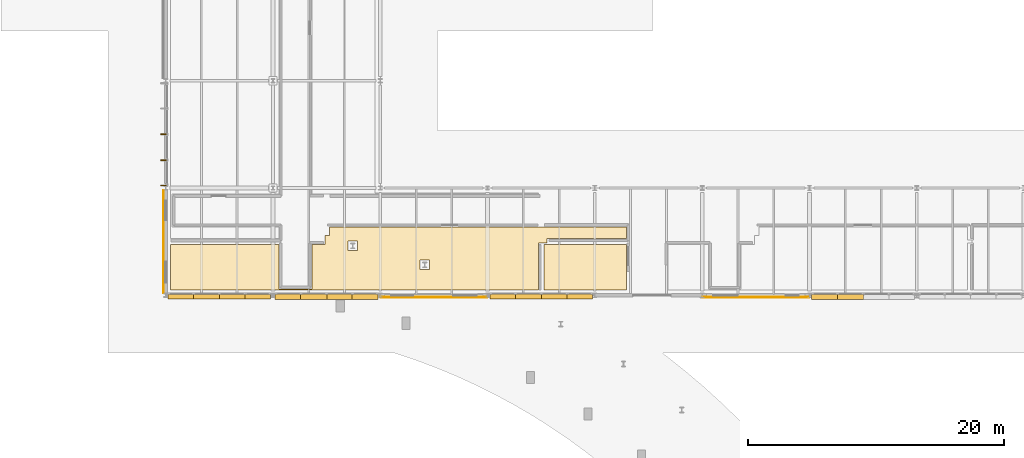
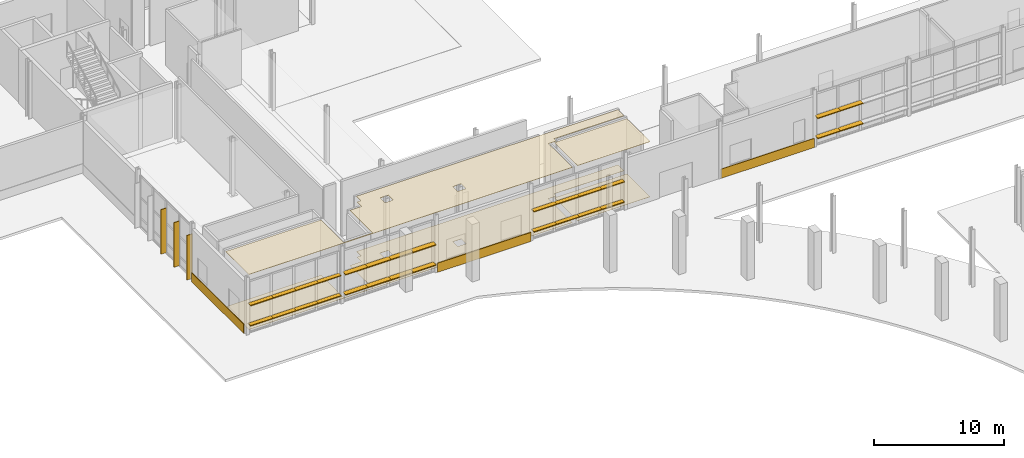
# One storey, part 98 of 124: 31 shading devices, 7 coverings.
"""IFC4 building model written with IfcOpenShell, lengths in metres."""

from ifc_helpers import new_model, si_unit, direction, frame, origin, origin_2d, place, context, subcontext, project, spatial, polyline, rectangle, outline, extrude, material, layer, layer_set, type_object, element, save


model = new_model("IFC4")

# Units and contexts
model_context = context("Model", 3, precision=1e-05, world=origin(), true_north=direction((0.0, 1.0)))
body_context = subcontext(model_context, "Body", "Model", "MODEL_VIEW")
ifc_project = project(units=[si_unit("LENGTHUNIT", "METRE"), si_unit("AREAUNIT", "SQUARE_METRE"), si_unit("VOLUMEUNIT", "CUBIC_METRE"), si_unit("PLANEANGLEUNIT", "RADIAN"), si_unit("MASSUNIT", "GRAM", prefix="KILO")], contexts=[model_context])

# Site, building, storey
site_placement = place(None, origin())
site = spatial("IfcSite", under=ifc_project, at=site_placement, CompositionType="ELEMENT")
building_placement = place(site_placement, origin())
building = spatial("IfcBuilding", under=site, at=building_placement, Name="Mersafa Astral City Hall", CompositionType="ELEMENT")
storey_placement = place(building_placement, origin())
storey = spatial("IfcBuildingStorey", under=building, at=storey_placement, Name="L00", CompositionType="ELEMENT", Elevation=0.0)

# Coverings
ifc_material_1 = material(Name="Cairo Mokattam buff limestone cladding", Category="masonry")
ifc_layer_1 = layer(ifc_material_1, 0.06005859375, Name="Cairo Mokattam buff limestone cladding")
ifc_layer_set_1 = layer_set([ifc_layer_1], Name="Cairo Mokattam buff limestone cladding — ENV-COV-LIMESTONE-60")
covering_type_1 = type_object("IfcCoveringType", Name="ENV-COV-LIMESTONE-60", PredefinedType="CLADDING", material=ifc_layer_set_1)
covering_1_placement = place(storey_placement, frame((8.23046875, 54.60009765625, 0.0), z_axis=(0.0, 0.0, 1.0), x_axis=(0.0, -1.0, 0.0)))
element("IfcCovering", 1, at=covering_1_placement, inside=storey, type_object=covering_type_1, Name="L00 Cairo buff limestone rainscreen cladding 50", PredefinedType="CLADDING", context=body_context, shape_type="SweptSolid", body=[
    extrude(rectangle(XDim=8.048095703125, YDim=0.06005859375, at=origin_2d()), origin(), (0.0, 0.0, 1.0), 0.860107421875),
])
for number, where, z_axis, x_axis, name in (
    (2, (29.39990234375, 50.238037109375, 0.0), (0.0, 0.0, 1.0), (1.0, 0.0, 0.0), "L00 Cairo buff limestone rainscreen cladding 51"),
    (3, (54.60009765625, 50.2529296875, 0.0), (0.0, 0.0, 1.0), (1.0, 0.0, 0.0), "L00 Cairo buff limestone rainscreen cladding 52"),
):
    element("IfcCovering", number, at=place(storey_placement, frame(where, z_axis=z_axis, x_axis=x_axis)), inside=storey, type_object=covering_type_1, Name=name, PredefinedType="CLADDING", context=body_context, shape_type="SweptSolid", body=[
        extrude(rectangle(XDim=8.323974609375, YDim=0.06005859375, at=origin_2d()), origin(), (0.0, 0.0, 1.0), 0.860107421875),
    ])

# Shading devices
ifc_material_2 = material(Name="Anodised bronze aluminium solar fin", Category="aluminium")
shading_device_type_1 = type_object("IfcShadingDeviceType", Name="ENV-SHD-FIN-500B", PredefinedType="USERDEFINED", material=ifc_material_2)
for number, where, z_axis, x_axis, name in (
    (4, (8.2548828125, 63.0, -0.01513671875), (0.0, 0.0, 1.0), (0.0, -1.0, 0.0), "L00 Vertical bronze solar fin 242"),
    (5, (8.2548828125, 60.98095703125, -0.01513671875), (0.0, 0.0, 1.0), (0.0, -1.0, 0.0), "L00 Vertical bronze solar fin 243"),
    (6, (8.2548828125, 58.991943359375, -0.01513671875), (0.0, 0.0, 1.0), (0.0, -1.0, 0.0), "L00 Vertical bronze solar fin 244"),
):
    element("IfcShadingDevice", number, at=place(storey_placement, frame(where, z_axis=z_axis, x_axis=x_axis)), inside=storey, type_object=shading_device_type_1, Name=name, ObjectType="FIN", PredefinedType="USERDEFINED", context=body_context, shape_type="SweptSolid", body=[
        extrude(rectangle(XDim=0.06005859375, YDim=0.5, at=origin_2d()), origin(), (0.0, 0.0, 1.0), 4.199951171875),
    ])
ifc_material_3 = material(Name="Kiln-dried cedar timber brise-soleil blade", Category="wood")
shading_device_type_2 = type_object("IfcShadingDeviceType", Name="ENV-SHD-LOUVRE-380", PredefinedType="JALOUSIE", material=ifc_material_3)
shading_device_1_placement = place(storey_placement, frame((9.58642578125, 50.320068359375, 0.81494140625), z_axis=(0.0, 0.0, 1.0), x_axis=(1.0, 0.0, 0.0)))
element("IfcShadingDevice", 7, at=shading_device_1_placement, inside=storey, type_object=shading_device_type_2, Name="L00 Horizontal cedar brise-soleil louvre 245", PredefinedType="JALOUSIE", context=body_context, shape_type="SweptSolid", body=[
    extrude(rectangle(XDim=2.029052734375, YDim=0.3798828125, at=origin_2d()), origin(), (0.0, 0.0, 1.0), 0.070068359375),
])
for number, where, z_axis, x_axis, name in (
    (8, (11.590576171875, 50.320068359375, 0.81494140625), (0.0, 0.0, 1.0), (1.0, 0.0, 0.0), "L00 Horizontal cedar brise-soleil louvre 246"),
    (9, (13.609619140625, 50.320068359375, 0.81494140625), (0.0, 0.0, 1.0), (1.0, 0.0, 0.0), "L00 Horizontal cedar brise-soleil louvre 247"),
):
    element("IfcShadingDevice", number, at=place(storey_placement, frame(where, z_axis=z_axis, x_axis=x_axis)), inside=storey, type_object=shading_device_type_2, Name=name, PredefinedType="JALOUSIE", context=body_context, shape_type="SweptSolid", body=[
        extrude(rectangle(XDim=2.05908203125, YDim=0.3798828125, at=origin_2d()), origin(), (0.0, 0.0, 1.0), 0.070068359375),
    ])
for number, where, z_axis, x_axis, name in (
    (10, (15.613525390625, 50.320068359375, 0.81494140625), (0.0, 0.0, 1.0), (1.0, 0.0, 0.0), "L00 Horizontal cedar brise-soleil louvre 248"),
    (11, (9.58642578125, 50.320068359375, 2.71484375), (0.0, 0.0, 1.0), (1.0, 0.0, 0.0), "L00 Horizontal cedar brise-soleil louvre 249"),
):
    element("IfcShadingDevice", number, at=place(storey_placement, frame(where, z_axis=z_axis, x_axis=x_axis)), inside=storey, type_object=shading_device_type_2, Name=name, PredefinedType="JALOUSIE", context=body_context, shape_type="SweptSolid", body=[
        extrude(rectangle(XDim=2.029052734375, YDim=0.3798828125, at=origin_2d()), origin(), (0.0, 0.0, 1.0), 0.070068359375),
    ])
for number, where, z_axis, x_axis, name in (
    (12, (11.590576171875, 50.320068359375, 2.71484375), (0.0, 0.0, 1.0), (1.0, 0.0, 0.0), "L00 Horizontal cedar brise-soleil louvre 250"),
    (13, (13.609619140625, 50.320068359375, 2.71484375), (0.0, 0.0, 1.0), (1.0, 0.0, 0.0), "L00 Horizontal cedar brise-soleil louvre 251"),
):
    element("IfcShadingDevice", number, at=place(storey_placement, frame(where, z_axis=z_axis, x_axis=x_axis)), inside=storey, type_object=shading_device_type_2, Name=name, PredefinedType="JALOUSIE", context=body_context, shape_type="SweptSolid", body=[
        extrude(rectangle(XDim=2.05908203125, YDim=0.3798828125, at=origin_2d()), origin(), (0.0, 0.0, 1.0), 0.070068359375),
    ])
for number, where, z_axis, x_axis, name in (
    (14, (15.613525390625, 50.320068359375, 2.71484375), (0.0, 0.0, 1.0), (1.0, 0.0, 0.0), "L00 Horizontal cedar brise-soleil louvre 252"),
    (15, (34.78662109375, 50.320068359375, 0.81494140625), (0.0, 0.0, 1.0), (1.0, 0.0, 0.0), "L00 Horizontal cedar brise-soleil louvre 261"),
):
    element("IfcShadingDevice", number, at=place(storey_placement, frame(where, z_axis=z_axis, x_axis=x_axis)), inside=storey, type_object=shading_device_type_2, Name=name, PredefinedType="JALOUSIE", context=body_context, shape_type="SweptSolid", body=[
        extrude(rectangle(XDim=2.029052734375, YDim=0.3798828125, at=origin_2d()), origin(), (0.0, 0.0, 1.0), 0.070068359375),
    ])
for number, where, z_axis, x_axis, name in (
    (16, (36.79052734375, 50.320068359375, 0.81494140625), (0.0, 0.0, 1.0), (1.0, 0.0, 0.0), "L00 Horizontal cedar brise-soleil louvre 262"),
    (17, (38.8095703125, 50.320068359375, 0.81494140625), (0.0, 0.0, 1.0), (1.0, 0.0, 0.0), "L00 Horizontal cedar brise-soleil louvre 263"),
):
    element("IfcShadingDevice", number, at=place(storey_placement, frame(where, z_axis=z_axis, x_axis=x_axis)), inside=storey, type_object=shading_device_type_2, Name=name, PredefinedType="JALOUSIE", context=body_context, shape_type="SweptSolid", body=[
        extrude(rectangle(XDim=2.05908203125, YDim=0.3798828125, at=origin_2d()), origin(), (0.0, 0.0, 1.0), 0.070068359375),
    ])
for number, where, z_axis, x_axis, name in (
    (18, (40.8134765625, 50.320068359375, 0.81494140625), (0.0, 0.0, 1.0), (1.0, 0.0, 0.0), "L00 Horizontal cedar brise-soleil louvre 264"),
    (19, (34.78662109375, 50.320068359375, 2.71484375), (0.0, 0.0, 1.0), (1.0, 0.0, 0.0), "L00 Horizontal cedar brise-soleil louvre 265"),
):
    element("IfcShadingDevice", number, at=place(storey_placement, frame(where, z_axis=z_axis, x_axis=x_axis)), inside=storey, type_object=shading_device_type_2, Name=name, PredefinedType="JALOUSIE", context=body_context, shape_type="SweptSolid", body=[
        extrude(rectangle(XDim=2.029052734375, YDim=0.3798828125, at=origin_2d()), origin(), (0.0, 0.0, 1.0), 0.070068359375),
    ])
for number, where, z_axis, x_axis, name in (
    (20, (36.79052734375, 50.320068359375, 2.71484375), (0.0, 0.0, 1.0), (1.0, 0.0, 0.0), "L00 Horizontal cedar brise-soleil louvre 266"),
    (21, (38.8095703125, 50.320068359375, 2.71484375), (0.0, 0.0, 1.0), (1.0, 0.0, 0.0), "L00 Horizontal cedar brise-soleil louvre 267"),
):
    element("IfcShadingDevice", number, at=place(storey_placement, frame(where, z_axis=z_axis, x_axis=x_axis)), inside=storey, type_object=shading_device_type_2, Name=name, PredefinedType="JALOUSIE", context=body_context, shape_type="SweptSolid", body=[
        extrude(rectangle(XDim=2.05908203125, YDim=0.3798828125, at=origin_2d()), origin(), (0.0, 0.0, 1.0), 0.070068359375),
    ])
shading_device_2_placement = place(storey_placement, frame((40.8134765625, 50.320068359375, 2.71484375), z_axis=(0.0, 0.0, 1.0), x_axis=(1.0, 0.0, 0.0)))
element("IfcShadingDevice", 22, at=shading_device_2_placement, inside=storey, type_object=shading_device_type_2, Name="L00 Horizontal cedar brise-soleil louvre 268", PredefinedType="JALOUSIE", context=body_context, shape_type="SweptSolid", body=[
    extrude(rectangle(XDim=2.029052734375, YDim=0.3798828125, at=origin_2d()), origin(), (0.0, 0.0, 1.0), 0.070068359375),
])
shading_device_type_3 = type_object("IfcShadingDeviceType", Name="ENV-SHD-LOUVRE-450", PredefinedType="JALOUSIE", material=ifc_material_3)
shading_device_3_placement = place(storey_placement, frame((17.986572265625, 50.284912109375, 0.81005859375), z_axis=(0.0, 0.0, 1.0), x_axis=(1.0, 0.0, 0.0)))
element("IfcShadingDevice", 23, at=shading_device_3_placement, inside=storey, type_object=shading_device_type_3, Name="L00 Horizontal cedar brise-soleil louvre 253", PredefinedType="JALOUSIE", context=body_context, shape_type="SweptSolid", body=[
    extrude(rectangle(XDim=2.029052734375, YDim=0.449951171875, at=origin_2d()), origin(), (0.0, 0.0, 1.0), 0.080078125),
])
for number, where, z_axis, x_axis, name in (
    (24, (19.990478515625, 50.284912109375, 0.81005859375), (0.0, 0.0, 1.0), (1.0, 0.0, 0.0), "L00 Horizontal cedar brise-soleil louvre 254"),
    (25, (22.009521484375, 50.284912109375, 0.81005859375), (0.0, 0.0, 1.0), (1.0, 0.0, 0.0), "L00 Horizontal cedar brise-soleil louvre 255"),
):
    element("IfcShadingDevice", number, at=place(storey_placement, frame(where, z_axis=z_axis, x_axis=x_axis)), inside=storey, type_object=shading_device_type_3, Name=name, PredefinedType="JALOUSIE", context=body_context, shape_type="SweptSolid", body=[
        extrude(rectangle(XDim=2.05908203125, YDim=0.449951171875, at=origin_2d()), origin(), (0.0, 0.0, 1.0), 0.080078125),
    ])
for number, where, z_axis, x_axis, name in (
    (26, (24.013427734375, 50.284912109375, 0.81005859375), (0.0, 0.0, 1.0), (1.0, 0.0, 0.0), "L00 Horizontal cedar brise-soleil louvre 256"),
    (27, (17.986572265625, 50.284912109375, 2.7099609375), (0.0, 0.0, 1.0), (1.0, 0.0, 0.0), "L00 Horizontal cedar brise-soleil louvre 257"),
):
    element("IfcShadingDevice", number, at=place(storey_placement, frame(where, z_axis=z_axis, x_axis=x_axis)), inside=storey, type_object=shading_device_type_3, Name=name, PredefinedType="JALOUSIE", context=body_context, shape_type="SweptSolid", body=[
        extrude(rectangle(XDim=2.029052734375, YDim=0.449951171875, at=origin_2d()), origin(), (0.0, 0.0, 1.0), 0.080078125),
    ])
for number, where, z_axis, x_axis, name in (
    (28, (19.990478515625, 50.284912109375, 2.7099609375), (0.0, 0.0, 1.0), (1.0, 0.0, 0.0), "L00 Horizontal cedar brise-soleil louvre 258"),
    (29, (22.009521484375, 50.284912109375, 2.7099609375), (0.0, 0.0, 1.0), (1.0, 0.0, 0.0), "L00 Horizontal cedar brise-soleil louvre 259"),
):
    element("IfcShadingDevice", number, at=place(storey_placement, frame(where, z_axis=z_axis, x_axis=x_axis)), inside=storey, type_object=shading_device_type_3, Name=name, PredefinedType="JALOUSIE", context=body_context, shape_type="SweptSolid", body=[
        extrude(rectangle(XDim=2.05908203125, YDim=0.449951171875, at=origin_2d()), origin(), (0.0, 0.0, 1.0), 0.080078125),
    ])
for number, where, z_axis, x_axis, name in (
    (30, (24.013427734375, 50.284912109375, 2.7099609375), (0.0, 0.0, 1.0), (1.0, 0.0, 0.0), "L00 Horizontal cedar brise-soleil louvre 260"),
    (31, (59.986572265625, 50.284912109375, 0.81005859375), (0.0, 0.0, 1.0), (1.0, 0.0, 0.0), "L00 Horizontal cedar brise-soleil louvre 269"),
):
    element("IfcShadingDevice", number, at=place(storey_placement, frame(where, z_axis=z_axis, x_axis=x_axis)), inside=storey, type_object=shading_device_type_3, Name=name, PredefinedType="JALOUSIE", context=body_context, shape_type="SweptSolid", body=[
        extrude(rectangle(XDim=2.029052734375, YDim=0.449951171875, at=origin_2d()), origin(), (0.0, 0.0, 1.0), 0.080078125),
    ])
shading_device_4_placement = place(storey_placement, frame((61.990478515625, 50.284912109375, 0.81005859375), z_axis=(0.0, 0.0, 1.0), x_axis=(1.0, 0.0, 0.0)))
element("IfcShadingDevice", 32, at=shading_device_4_placement, inside=storey, type_object=shading_device_type_3, Name="L00 Horizontal cedar brise-soleil louvre 270", PredefinedType="JALOUSIE", context=body_context, shape_type="SweptSolid", body=[
    extrude(rectangle(XDim=2.05908203125, YDim=0.449951171875, at=origin_2d()), origin(), (0.0, 0.0, 1.0), 0.080078125),
])
shading_device_5_placement = place(storey_placement, frame((59.986572265625, 50.284912109375, 2.7099609375), z_axis=(0.0, 0.0, 1.0), x_axis=(1.0, 0.0, 0.0)))
element("IfcShadingDevice", 33, at=shading_device_5_placement, inside=storey, type_object=shading_device_type_3, Name="L00 Horizontal cedar brise-soleil louvre 273", PredefinedType="JALOUSIE", context=body_context, shape_type="SweptSolid", body=[
    extrude(rectangle(XDim=2.029052734375, YDim=0.449951171875, at=origin_2d()), origin(), (0.0, 0.0, 1.0), 0.080078125),
])
shading_device_6_placement = place(storey_placement, frame((61.990478515625, 50.284912109375, 2.7099609375), z_axis=(0.0, 0.0, 1.0), x_axis=(1.0, 0.0, 0.0)))
element("IfcShadingDevice", 34, at=shading_device_6_placement, inside=storey, type_object=shading_device_type_3, Name="L00 Horizontal cedar brise-soleil louvre 274", PredefinedType="JALOUSIE", context=body_context, shape_type="SweptSolid", body=[
    extrude(rectangle(XDim=2.05908203125, YDim=0.449951171875, at=origin_2d()), origin(), (0.0, 0.0, 1.0), 0.080078125),
])

# Coverings
ifc_material_4 = material(Name="Perforated acoustic gypsum board ceiling", Category="gypsum")
ifc_layer_2 = layer(ifc_material_4, 0.02490234375, Name="Perforated acoustic gypsum board ceiling")
ifc_layer_set_2 = layer_set([ifc_layer_2], Name="Perforated acoustic gypsum board ceiling — INT-COV-CEIL-25")
covering_type_2 = type_object("IfcCoveringType", Name="INT-COV-CEIL-25", PredefinedType="CEILING", material=ifc_layer_set_2)
covering_2_placement = place(storey_placement, frame((0.0, 0.0, 5.180908203125)))
element("IfcCovering", 35, at=covering_2_placement, inside=storey, type_object=covering_type_2, Name="L00 Citizens Service Centre L00-30 acoustic ceiling", PredefinedType="CEILING", context=body_context, shape_type="SweptSolid", body=[
    extrude(outline(polyline([(38.030029296875, 54.3701171875), (44.47998046875, 54.3701171875), (44.47998046875, 50.800048828125), (38.030029296875, 50.800048828125), (38.030029296875, 54.3701171875)])), origin(), (0.0, 0.0, 1.0), 0.025146484375),
])
ifc_material_5 = material(Name="Slatted cedar timber acoustic baffle ceiling", Category="wood")
ifc_layer_3 = layer(ifc_material_5, 0.034912109375, Name="Slatted cedar timber acoustic baffle ceiling")
ifc_layer_set_3 = layer_set([ifc_layer_3], Name="Slatted cedar timber acoustic baffle ceiling — INT-COV-CEIL-35")
covering_type_3 = type_object("IfcCoveringType", Name="INT-COV-CEIL-35", PredefinedType="CEILING", material=ifc_layer_set_3)
covering_3_placement = place(storey_placement, frame((0.0, 0.0, 5.1708984375)))
element("IfcCovering", 36, at=covering_3_placement, inside=storey, type_object=covering_type_3, Name="L00 Civic Exhibition Gallery L00-24 acoustic ceiling", PredefinedType="CEILING", context=body_context, shape_type="SweptSolid", body=[
    extrude(outline(polyline([(44.47998046875, 55.760009765625), (44.47998046875, 54.830078125), (38.27001953125, 54.830078125), (38.27001953125, 54.47998046875), (37.570068359375, 54.47998046875), (37.570068359375, 50.800048828125), (8.800048828125, 50.800048828125), (8.800048828125, 54.3701171875), (17.280029296875, 54.3701171875), (17.280029296875, 50.8798828125), (19.840087890625, 50.8798828125), (19.840087890625, 54.3701171875), (20.8798828125, 54.3701171875), (20.8798828125, 55.070068359375), (21.22998046875, 55.070068359375), (21.22998046875, 55.760009765625), (44.47998046875, 55.760009765625)]), holes=[polyline([(28.30419921875, 52.420166015625), (29.044189453125, 52.420166015625), (29.044189453125, 53.16015625), (28.30419921875, 53.16015625), (28.30419921875, 52.420166015625)]), polyline([(22.677734375, 53.90380859375), (23.417724609375, 53.90380859375), (23.417724609375, 54.643798828125), (22.677734375, 54.643798828125), (22.677734375, 53.90380859375)])]), origin(), (0.0, 0.0, 1.0), 0.03515625),
])
ifc_material_6 = material(Name="Honed Cairo limestone terrazzo flooring", Category="masonry")
ifc_layer_4 = layer(ifc_material_6, 0.02001953125, Name="Honed Cairo limestone terrazzo flooring")
ifc_layer_set_4 = layer_set([ifc_layer_4], Name="Honed Cairo limestone terrazzo flooring — INT-COV-FLR-20")
covering_type_4 = type_object("IfcCoveringType", Name="INT-COV-FLR-20", PredefinedType="FLOORING", material=ifc_layer_set_4)
covering_4_placement = place(storey_placement, frame((0.0, 0.0, -0.00146484375)))
element("IfcCovering", 37, at=covering_4_placement, inside=storey, type_object=covering_type_4, Name="L00 Civic Exhibition Gallery L00-24 architectural flooring", PredefinedType="FLOORING", context=body_context, shape_type="SweptSolid", body=[
    extrude(outline(polyline([(44.47998046875, 55.760009765625), (44.47998046875, 54.830078125), (38.27001953125, 54.830078125), (38.27001953125, 54.47998046875), (37.570068359375, 54.47998046875), (37.570068359375, 50.800048828125), (8.800048828125, 50.800048828125), (8.800048828125, 54.3701171875), (17.280029296875, 54.3701171875), (17.280029296875, 50.8798828125), (19.840087890625, 50.8798828125), (19.840087890625, 54.3701171875), (20.8798828125, 54.3701171875), (20.8798828125, 55.070068359375), (21.22998046875, 55.070068359375), (21.22998046875, 55.760009765625), (44.47998046875, 55.760009765625)]), holes=[polyline([(28.30419921875, 52.420166015625), (29.044189453125, 52.420166015625), (29.044189453125, 53.16015625), (28.30419921875, 53.16015625), (28.30419921875, 52.420166015625)]), polyline([(22.677734375, 53.90380859375), (23.417724609375, 53.90380859375), (23.417724609375, 54.643798828125), (22.677734375, 54.643798828125), (22.677734375, 53.90380859375)])]), origin(), (0.0, 0.0, 1.0), 0.02001953125),
])
covering_5_placement = place(storey_placement, frame((0.0, 0.0, -0.00146484375)))
element("IfcCovering", 38, at=covering_5_placement, inside=storey, type_object=covering_type_4, Name="L00 Citizens Service Centre L00-30 architectural flooring", PredefinedType="FLOORING", context=body_context, shape_type="SweptSolid", body=[
    extrude(outline(polyline([(38.030029296875, 54.3701171875), (44.47998046875, 54.3701171875), (44.47998046875, 50.800048828125), (38.030029296875, 50.800048828125), (38.030029296875, 54.3701171875)])), origin(), (0.0, 0.0, 1.0), 0.02001953125),
])

save(model, "model.ifc")
